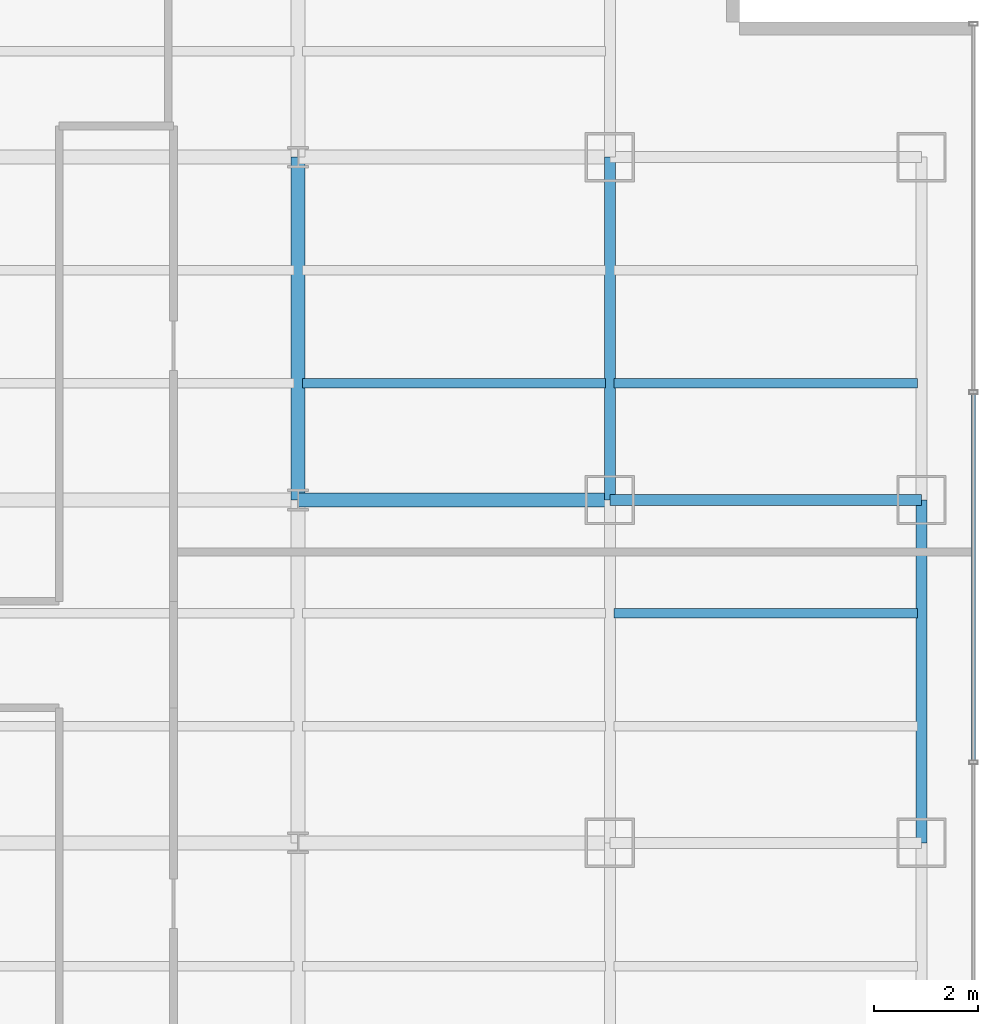
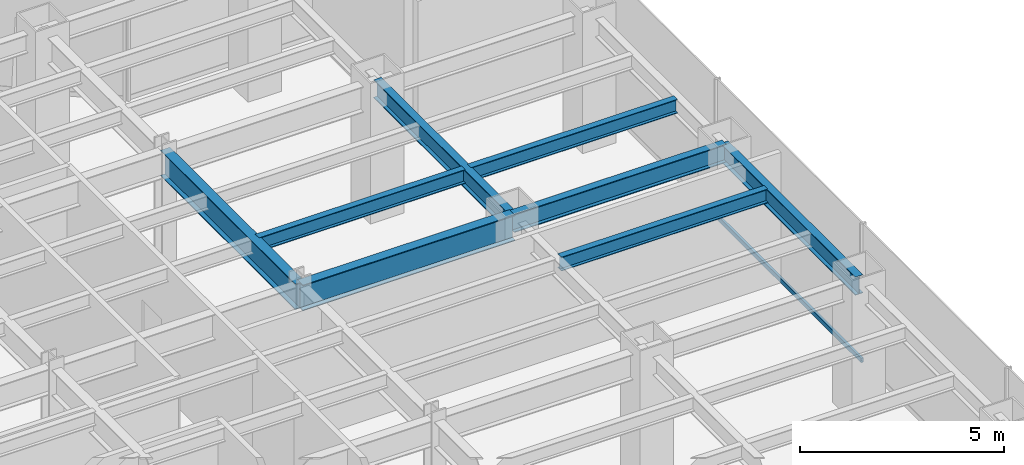
# One storey, part 14 of 35: 8 beams, 1 member, 1 element without a shape of its own.
"""IFC4 building model written with IfcOpenShell, lengths in metres."""

from ifc_helpers import new_model, si_unit, derived_unit, direction, frame, origin, origin_2d, place, context, subcontext, project, spatial, hollow_rectangle, i_section, extrude, source, transform, mapped, material, material_profile, profile_set, type_object, element, aggregate, save


model = new_model("IFC4")

# Units and contexts
model_context = context("Model", 3, precision=1e-05, world=origin(), true_north=direction((0.0, 1.0)))
body_context = subcontext(model_context, "Body", "Model", "MODEL_VIEW")
ifc_project = project(units=[si_unit("LENGTHUNIT", "METRE"), si_unit("AREAUNIT", "SQUARE_METRE"), si_unit("VOLUMEUNIT", "CUBIC_METRE"), si_unit("PLANEANGLEUNIT", "RADIAN"), si_unit("MASSUNIT", "GRAM", prefix="KILO"), derived_unit("THERMALTRANSMITTANCEUNIT", [(si_unit("POWERUNIT", "WATT"), 1), (si_unit("LENGTHUNIT", "METRE"), -2), (si_unit("THERMODYNAMICTEMPERATUREUNIT", "KELVIN"), -1)])], contexts=[model_context])

# Site, building, storey
site_placement = place(None, origin())
site = spatial("IfcSite", under=ifc_project, at=site_placement, CompositionType="ELEMENT")
building_placement = place(site_placement, origin())
building = spatial("IfcBuilding", under=site, at=building_placement, Name="Skarnbrae Concourse Arena and Tower", CompositionType="ELEMENT")
storey_placement = place(building_placement, frame((0.0, 0.0, 79.949951171875)))
storey = spatial("IfcBuildingStorey", under=building, at=storey_placement, Name="L19", CompositionType="ELEMENT", Elevation=79.949951171875)

# Beams
ifc_material_1 = material(Name="Steel CSA G40.21 350W", Category="steel")
ifc_material_profile_1 = material_profile(ifc_material_1, i_section(OverallWidth=0.214111328125, OverallDepth=0.549072265625, WebThickness=0.0146484375, FlangeThickness=0.023681640625, at=origin_2d()), Name="W530X138")
ifc_profile_set_1 = profile_set([ifc_material_profile_1], Name="Steel CSA G40.21 350W")
beam_type_1 = type_object("IfcBeamType", Name="BM-SPAN-W530X138", PredefinedType="SPANDREL", material=ifc_profile_set_1)
shared_shape_1 = source(origin(), body_context, "Body", "SweptSolid", [
    extrude(i_section(OverallWidth=0.214111328125, OverallDepth=0.549072265625, WebThickness=0.0146484375, FlangeThickness=0.023681640625, at=origin_2d()), origin(), (0.0, 0.0, 1.0), 6.0),
])
beam_1_placement = place(storey_placement, frame((55.0, 27.800048828125, 3.62548828125), z_axis=(1.0, 0.0, 0.0), x_axis=(0.0, 1.0, 0.0)))
element("IfcBeam", 1, at=beam_1_placement, inside=storey, type_object=beam_type_1, Name="L19 Perimeter spandrel Y27.8-9", PredefinedType="SPANDREL", context=body_context, shape_type="MappedRepresentation", body=[
    mapped(shared_shape_1, transform((0.0, 0.0, 0.0))),
])
ifc_material_profile_2 = material_profile(ifc_material_1, i_section(OverallWidth=0.26806640625, OverallDepth=0.77001953125, WebThickness=0.015625, FlangeThickness=0.025390625, at=origin_2d()), Name="W760X196")
ifc_profile_set_2 = profile_set([ifc_material_profile_2], Name="Steel CSA G40.21 350W")
beam_type_2 = type_object("IfcBeamType", Name="BM-GIRD-W760X196", PredefinedType="BEAM", material=ifc_profile_set_2)
shared_shape_2 = source(origin(), body_context, "Body", "SweptSolid", [
    extrude(i_section(OverallWidth=0.26806640625, OverallDepth=0.77001953125, WebThickness=0.015625, FlangeThickness=0.025390625, at=origin_2d()), origin(), (0.0, 0.0, 1.0), 6.0),
])
beam_2_placement = place(storey_placement, frame((49.0, 27.800048828125, 3.51513671875), z_axis=(1.0, 0.0, 0.0), x_axis=(0.0, 1.0, 0.0)))
element("IfcBeam", 2, at=beam_2_placement, inside=storey, type_object=beam_type_2, Name="L19 Primary E-W girder Y27.8-8", PredefinedType="BEAM", context=body_context, shape_type="MappedRepresentation", body=[
    mapped(shared_shape_2, transform((0.0, 0.0, 0.0))),
])
shared_shape_3 = source(origin(), body_context, "Body", "SweptSolid", [
    extrude(i_section(OverallWidth=0.214111328125, OverallDepth=0.549072265625, WebThickness=0.0146484375, FlangeThickness=0.023681640625, at=origin_2d()), origin(), (0.0, 0.0, 1.0), 6.60009765625),
])
beam_3_placement = place(storey_placement, frame((61.0, 21.199951171875, 3.62548828125), z_axis=(0.0, 1.0, 0.0), x_axis=(-1.0, 0.0, 0.0)))
element("IfcBeam", 3, at=beam_3_placement, inside=storey, type_object=beam_type_1, Name="L19 Perimeter spandrel X61.0-3", PredefinedType="SPANDREL", context=body_context, shape_type="MappedRepresentation", body=[
    mapped(shared_shape_3, transform((0.0, 0.0, 0.0))),
])
shared_shape_4 = source(origin(), body_context, "Body", "SweptSolid", [
    extrude(i_section(OverallWidth=0.214111328125, OverallDepth=0.549072265625, WebThickness=0.0146484375, FlangeThickness=0.023681640625, at=origin_2d()), origin(), (0.0, 0.0, 1.0), 6.599853515625),
])
beam_4_placement = place(storey_placement, frame((55.0, 27.800048828125, 3.62548828125), z_axis=(0.0, 1.0, 0.0), x_axis=(-1.0, 0.0, 0.0)))
element("IfcBeam", 4, at=beam_4_placement, inside=storey, type_object=beam_type_1, Name="L19 Perimeter spandrel X55.0-4", PredefinedType="SPANDREL", context=body_context, shape_type="MappedRepresentation", body=[
    mapped(shared_shape_4, transform((0.0, 0.0, 0.0))),
])
shared_shape_5 = source(origin(), body_context, "Body", "SweptSolid", [
    extrude(i_section(OverallWidth=0.26806640625, OverallDepth=0.77001953125, WebThickness=0.015625, FlangeThickness=0.025390625, at=origin_2d()), origin(), (0.0, 0.0, 1.0), 6.599853515625),
])
beam_5_placement = place(storey_placement, frame((49.0, 27.800048828125, 3.51513671875), z_axis=(0.0, 1.0, 0.0), x_axis=(-1.0, 0.0, 0.0)))
element("IfcBeam", 5, at=beam_5_placement, inside=storey, type_object=beam_type_2, Name="L19 Primary N-S girder X49.0-4", PredefinedType="BEAM", context=body_context, shape_type="MappedRepresentation", body=[
    mapped(shared_shape_5, transform((0.0, 0.0, 0.0))),
])
ifc_material_profile_3 = material_profile(ifc_material_1, i_section(OverallWidth=0.180908203125, OverallDepth=0.4169921875, WebThickness=0.010986328125, FlangeThickness=0.018310546875, at=origin_2d()), Name="W410X85")
ifc_profile_set_3 = profile_set([ifc_material_profile_3], Name="Steel CSA G40.21 350W")
beam_type_3 = type_object("IfcBeamType", Name="BM-JOIST-W410X85", PredefinedType="JOIST", material=ifc_profile_set_3)
shared_shape_6 = source(origin(), body_context, "Body", "SweptSolid", [
    extrude(i_section(OverallWidth=0.180908203125, OverallDepth=0.4169921875, WebThickness=0.010986328125, FlangeThickness=0.018310546875, at=origin_2d()), origin(), (0.0, 0.0, 1.0), 5.83984375),
])
for number, where, z_axis, x_axis, name in (
    (6, (55.080078125, 25.6220703125, 3.691650390625), (1.0, 0.0, 0.0), (0.0, 1.0, 0.0), "L19 Secondary floor joist 2.2.9"),
    (7, (49.080078125, 30.0439453125, 3.691650390625), (1.0, 0.0, 0.0), (0.0, 1.0, 0.0), "L19 Secondary floor joist 3.1.8"),
    (8, (55.080078125, 30.0439453125, 3.691650390625), (1.0, 0.0, 0.0), (0.0, 1.0, 0.0), "L19 Secondary floor joist 3.1.9"),
):
    element("IfcBeam", number, at=place(storey_placement, frame(where, z_axis=z_axis, x_axis=x_axis)), inside=storey, type_object=beam_type_3, Name=name, PredefinedType="JOIST", context=body_context, shape_type="MappedRepresentation", body=[
        mapped(shared_shape_6, transform((0.0, 0.0, 0.0))),
    ])

# Curtain wall, member
ifc_material_2 = material(Name="Bronze anodised aluminium 6063-T6", Category="aluminium")
curtain_wall_type = type_object("IfcCurtainWallType", Name="CW-SYS-06-SKYLOBBY", PredefinedType="USERDEFINED", material=ifc_material_2)
curtain_wall_placement = place(storey_placement, origin())
curtain_wall = element("IfcCurtainWall", 9, at=curtain_wall_placement, inside=storey, type_object=curtain_wall_type, Name="L19 Unitised curtain wall CW-L19-E04", ObjectType="UNITISED CURTAIN WALL", PredefinedType="USERDEFINED")
ifc_material_profile_4 = material_profile(ifc_material_2, hollow_rectangle(XDim=0.070068359375, YDim=0.135009765625, WallThickness=0.00390625, at=origin_2d()), Name="ALU-TRAN-70X135")
ifc_profile_set_4 = profile_set([ifc_material_profile_4], Name="Bronze anodised aluminium 6063-T6")
member_type = type_object("IfcMemberType", Name="CWT-CW-06", PredefinedType="USERDEFINED", material=ifc_profile_set_4)
shared_shape_7 = source(origin(), body_context, "Body", "SweptSolid", [
    extrude(hollow_rectangle(XDim=0.070068359375, YDim=0.135009765625, WallThickness=0.00390625, at=origin_2d()), origin(), (0.0, 0.0, 1.0), 7.05517578125),
])
member_placement = place(storey_placement, frame((62.0, 22.784912109375, 0.067626953125), z_axis=(0.0, 1.0, 0.0), x_axis=(-1.0, 0.0, 0.0)))
member = element("IfcMember", 10, at=member_placement, type_object=member_type, Name="CW-L19-E04 Transom 3", ObjectType="TRANSOM", PredefinedType="USERDEFINED", context=body_context, shape_type="MappedRepresentation", body=[
    mapped(shared_shape_7, transform((0.0, 0.0, 0.0))),
])
aggregate(curtain_wall, [member])

save(model, "model.ifc")
